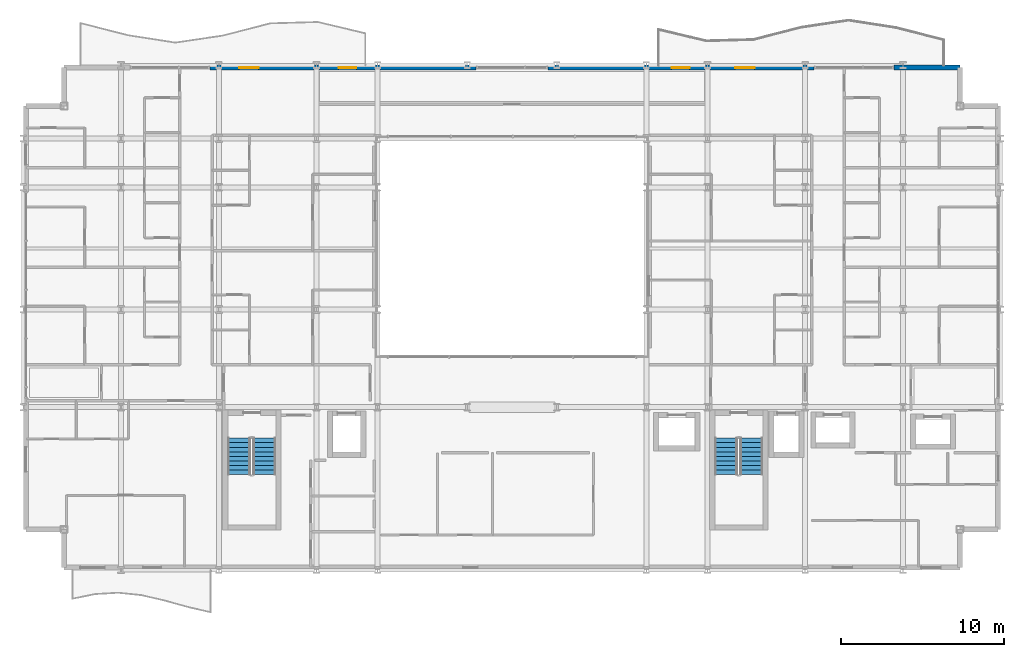
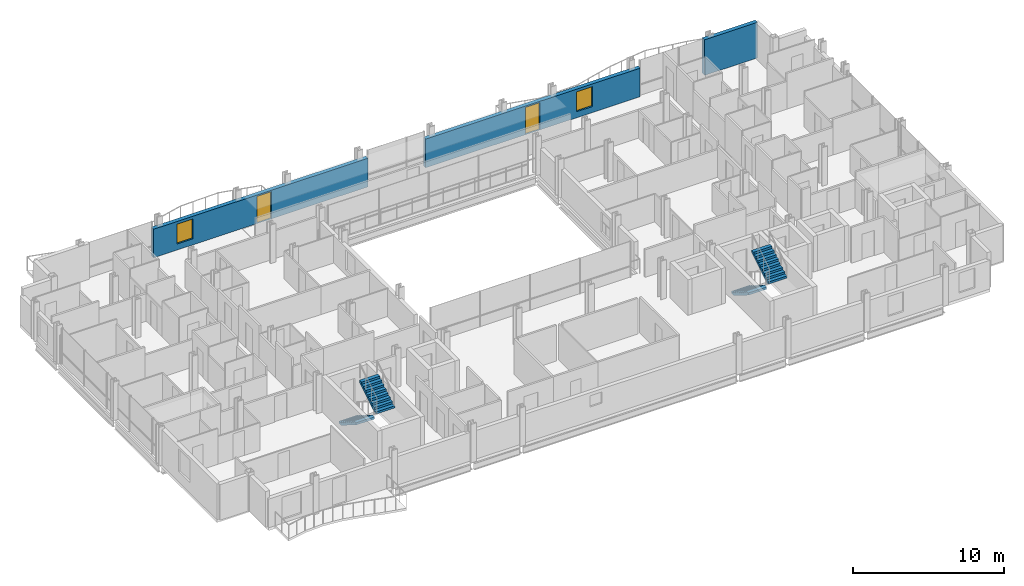
# One storey, part 37 of 40: 4 stair flights, 3 walls, 2 doors, 2 windows, 4 openings, 2 elements without a shape of their own.
"""IFC4 building model written with IfcOpenShell, lengths in metres."""

import ifcopenshell
import ifcopenshell.guid

model = None  # the IFC model being written
_history = None  # IfcOwnerHistory: only IFC2X3 demands one
_inside = {}  # id of a spatial element -> (the spatial element, [elements in it])
_under = {}  # id of a project, library or spatial element -> (it, [spatial elements below it])
_declared = {}  # id of a project -> (the project, [libraries it declares])
_typed = {}  # id of a type object -> (the type object, [elements of that type])
_made_of = {}  # id of a material, layer set ... -> (it, [elements and type objects made of it])


def new_model(schema):
    """Start an empty IFC model of exactly this schema.

    Asked for "IFC4X3", IfcOpenShell would pick the latest addendum, in which some entities
    have other attributes; the version numbers below select the first issue.
    IFC2X3 requires an IfcOwnerHistory on every rooted entity: one is made here for all.
    """
    global model, _history
    if schema == "IFC4X3":
        model = ifcopenshell.file(schema_version=(4, 3, 0, 0))
    else:
        model = ifcopenshell.file(schema=schema)
    _inside.clear()
    _under.clear()
    _declared.clear()
    _typed.clear()
    _made_of.clear()
    _history = None
    if model.schema == "IFC2X3":
        org = make("IfcOrganization", Name="unknown")
        user = make(
            "IfcPersonAndOrganization",
            ThePerson=make("IfcPerson", FamilyName="unknown"),
            TheOrganization=org,
        )
        app = make(
            "IfcApplication",
            ApplicationDeveloper=org,
            Version="unknown",
            ApplicationFullName="unknown",
            ApplicationIdentifier="unknown",
        )
        _history = make(
            "IfcOwnerHistory",
            OwningUser=user,
            OwningApplication=app,
            ChangeAction="ADDED",
            CreationDate=0,
        )
    return model


def make(cls, **values):
    """One entity of the class cls with the attributes given. An attribute that is None is left unset."""
    return model.create_entity(
        cls, **{name: value for name, value in values.items() if value is not None}
    )


def rooted(cls, **values):
    """An entity with a GlobalId (a new one), such as an element, a storey or a relation."""
    return make(cls, GlobalId=ifcopenshell.guid.new(), OwnerHistory=_history, **values)


def si_unit(unit_type, name, prefix=None):
    """IfcSIUnit, for example si_unit("LENGTHUNIT", "METRE", prefix="MILLI")."""
    return make("IfcSIUnit", UnitType=unit_type, Prefix=prefix, Name=name)


def assignment(units):
    """IfcUnitAssignment: the units of a project."""
    return None if units is None else make("IfcUnitAssignment", Units=units)


def point(xyz):
    """IfcCartesianPoint."""
    return None if xyz is None else make("IfcCartesianPoint", Coordinates=xyz)


def direction(xyz):
    """IfcDirection."""
    return None if xyz is None else make("IfcDirection", DirectionRatios=xyz)


def frame(location, z_axis=None, x_axis=None):
    """IfcAxis2Placement3D, a coordinate frame: its origin and axes. An axis left out is left unset."""
    return make(
        "IfcAxis2Placement3D",
        Location=point(location),
        Axis=direction(z_axis),
        RefDirection=direction(x_axis),
    )


def frame_2d(location, x_axis=None):
    """IfcAxis2Placement2D, a coordinate frame in the plane: its origin and x axis."""
    return make(
        "IfcAxis2Placement2D", Location=point(location), RefDirection=direction(x_axis)
    )


def origin():
    """The frame at (0, 0, 0) with its axes left unset."""
    return frame((0.0, 0.0, 0.0))


def place(relative_to, where):
    """IfcLocalPlacement: puts the frame where relative to a parent placement (None: the world)."""
    return make(
        "IfcLocalPlacement", PlacementRelTo=relative_to, RelativePlacement=where
    )


def context(
    kind, dimensions, precision=None, world=None, true_north=None, identifier=None
):
    """IfcGeometricRepresentationContext, for example the 3D "Model" context."""
    return make(
        "IfcGeometricRepresentationContext",
        ContextIdentifier=identifier,
        ContextType=kind,
        CoordinateSpaceDimension=dimensions,
        Precision=precision,
        WorldCoordinateSystem=world,
        TrueNorth=true_north,
    )


def subcontext(parent, identifier, kind, view, scale=None):
    """IfcGeometricRepresentationSubContext, for example "Body" below "Model"."""
    return make(
        "IfcGeometricRepresentationSubContext",
        ContextIdentifier=identifier,
        ContextType=kind,
        ParentContext=parent,
        TargetScale=scale,
        TargetView=view,
    )


def project(units=None, contexts=None):
    """IfcProject with its units and contexts."""
    return rooted(
        "IfcProject",
        Name="project",
        RepresentationContexts=contexts,
        UnitsInContext=assignment(units),
    )


def spatial(cls, under=None, at=None, **own):
    """A site, building, storey or space (cls), placed at a placement, below another one or the project."""
    s = rooted(cls, ObjectPlacement=at, **own)
    if under is not None:
        _under.setdefault(under.id(), (under, []))[1].append(s)
    return s


def polyline(points):
    """IfcPolyline through the points."""
    return make("IfcPolyline", Points=[point(p) for p in points])


def profile(cls, at=None, kind="AREA", **sizes):
    """A parametric profile (cls). Its sizes go by their IFC names, for example OverallWidth=200.0."""
    return make(cls, ProfileType=kind, Position=at, **sizes)


def rectangle(**sizes):
    """IfcRectangleProfileDef."""
    return profile("IfcRectangleProfileDef", **sizes)


def outline(outer, holes=None, kind="AREA"):
    """IfcArbitraryClosedProfileDef: a profile drawn as a closed curve; with holes, ...WithVoids."""
    if holes is None:
        return make("IfcArbitraryClosedProfileDef", ProfileType=kind, OuterCurve=outer)
    return make(
        "IfcArbitraryProfileDefWithVoids",
        ProfileType=kind,
        OuterCurve=outer,
        InnerCurves=holes,
    )


def extrude(swept, where, along, depth):
    """IfcExtrudedAreaSolid: the profile swept, set in the frame where, extruded along a direction by depth."""
    return make(
        "IfcExtrudedAreaSolid",
        SweptArea=swept,
        Position=where,
        ExtrudedDirection=direction(along),
        Depth=depth,
    )


def shape(context_of_items, identifier, shape_type, items):
    """IfcShapeRepresentation: the items that make up one representation, for example the "Body"."""
    return make(
        "IfcShapeRepresentation",
        ContextOfItems=context_of_items,
        RepresentationIdentifier=identifier,
        RepresentationType=shape_type,
        Items=items,
    )


def material(Name=None, Category=None):
    """IfcMaterial."""
    return make("IfcMaterial", Name=Name, Category=Category)


def layer(
    of_material, thickness, ventilated=None, Name=None, Category=None, Priority=None
):
    """IfcMaterialLayer: one layer of a wall or slab, of a material (None: an air gap)."""
    return make(
        "IfcMaterialLayer",
        Material=of_material,
        LayerThickness=thickness,
        IsVentilated=ventilated,
        Name=Name,
        Category=Category,
        Priority=Priority,
    )


def layer_set(layers, Name=None):
    """IfcMaterialLayerSet."""
    return make("IfcMaterialLayerSet", MaterialLayers=layers, LayerSetName=Name)


def made_of(thing, what):
    """Note that an element or type object is made of a material, layer set ...; save() writes the relation."""
    if what is not None:
        _made_of.setdefault(what.id(), (what, []))[1].append(thing)
    return thing


def type_object(cls, material=None, **own):
    """A type object (cls), such as IfcWallType, which elements share."""
    return made_of(rooted(cls, **own), material)


def element(
    cls,
    number,
    at=None,
    inside=None,
    cuts=None,
    type_object=None,
    material=None,
    context=None,
    identifier="Body",
    shape_type=None,
    held_by="IfcProductDefinitionShape",
    body=None,
    shapes=None,
    **own,
):
    """One element of the class cls, such as IfcWall. Its Tag is "e" and its number.

    at: its placement. inside: the storey or other place that contains it. cuts: it is an
    opening in that element (IfcRelVoidsElement). A single representation is given by context,
    identifier, shape_type and body (its items); several are given by shapes. held_by: the class
    of the entity that holds the representations. save() writes the other relations.
    """
    e = rooted(cls, Tag="e%d" % number, ObjectPlacement=at, **own)
    if body is not None:
        shapes = [shape(context, identifier, shape_type, body)]
    if shapes is not None:
        e.Representation = make(held_by, Representations=shapes)
    if inside is not None:
        _inside.setdefault(inside.id(), (inside, []))[1].append(e)
    if cuts is not None:
        rooted(
            "IfcRelVoidsElement", RelatingBuildingElement=cuts, RelatedOpeningElement=e
        )
    if type_object is not None:
        _typed.setdefault(type_object.id(), (type_object, []))[1].append(e)
    return made_of(e, material)


def fill(opening, filler):
    """IfcRelFillsElement: the door or window that sits in an opening."""
    return rooted(
        "IfcRelFillsElement",
        RelatingOpeningElement=opening,
        RelatedBuildingElement=filler,
    )


def aggregate(whole, parts):
    """IfcRelAggregates: a whole, such as a stair, and the parts it consists of."""
    return rooted("IfcRelAggregates", RelatingObject=whole, RelatedObjects=parts)


def save(model, path):
    """Write the relations noted so far, then the file.

    IfcRelAggregates (storeys below a building ...), IfcRelContainedInSpatialStructure (elements
    in a storey), IfcRelDefinesByType, IfcRelAssociatesMaterial and IfcRelDeclares: one each for
    every whole, place, type object, material and project.
    """
    for whole, parts in _under.values():
        aggregate(whole, parts)
    for where, things in _inside.values():
        rooted(
            "IfcRelContainedInSpatialStructure",
            RelatedElements=things,
            RelatingStructure=where,
        )
    for kind, things in _typed.values():
        rooted("IfcRelDefinesByType", RelatedObjects=things, RelatingType=kind)
    for what, things in _made_of.values():
        rooted("IfcRelAssociatesMaterial", RelatedObjects=things, RelatingMaterial=what)
    for by, libraries in _declared.values():
        rooted("IfcRelDeclares", RelatingContext=by, RelatedDefinitions=libraries)
    model.write(path)


model = new_model("IFC4")

# Units and contexts
model_context = context("Model", 3, precision=1e-05, world=origin(), true_north=direction((0.0, 1.0)))
body_context = subcontext(model_context, "Body", "Model", "MODEL_VIEW")
ifc_project = project(units=[si_unit("LENGTHUNIT", "METRE"), si_unit("AREAUNIT", "SQUARE_METRE"), si_unit("VOLUMEUNIT", "CUBIC_METRE"), si_unit("PLANEANGLEUNIT", "RADIAN"), si_unit("MASSUNIT", "GRAM", prefix="KILO")], contexts=[model_context])

# Site, building, storey
site_placement = place(None, origin())
site = spatial("IfcSite", under=ifc_project, at=site_placement, CompositionType="ELEMENT")
building_placement = place(site_placement, origin())
building = spatial("IfcBuilding", under=site, at=building_placement, Name="Brevholm Reach", CompositionType="ELEMENT")
storey_placement = place(building_placement, frame((0.0, 0.0, 31.10009765625)))
storey = spatial("IfcBuildingStorey", under=building, at=storey_placement, Name="L07", CompositionType="ELEMENT", Elevation=31.10009765625)

# Wall
ifc_material_1 = material(Name="Concrete C40/50", Category="concrete")
ifc_layer_1 = layer(ifc_material_1, 0.300048828125)
ifc_layer_set_1 = layer_set([ifc_layer_1], Name="Concrete C40/50")
wall_type = type_object("IfcWallType", Name="WAL-EXT-300", PredefinedType="STANDARD", material=ifc_layer_set_1)
wall_1_placement = place(storey_placement, frame((53.449951171875, 30.85009765625, 0.0), z_axis=(0.0, 0.0, 1.0), x_axis=(1.0, 0.0, 0.0)))
element("IfcWall", 1, at=wall_1_placement, inside=storey, type_object=wall_type, Name="L07 Facade Wall WAL-L07-NP-E0", PredefinedType="STANDARD", context=body_context, shape_type="SweptSolid", body=[
    extrude(rectangle(XDim=4.050048828125, YDim=0.300048828125, at=frame_2d((2.02490234375, 0.0))), origin(), (0.0, 0.0, 1.0), 2.869873046875),
])

# Wall, openings, door, window
wall_2_placement = place(storey_placement, frame((11.449951171875, 30.85009765625, 0.0), z_axis=(0.0, 0.0, 1.0), x_axis=(1.0, 0.0, 0.0)))
wall_2 = element("IfcWall", 2, at=wall_2_placement, inside=storey, type_object=wall_type, Name="L07 Facade Wall WAL-L07-NP-WL", PredefinedType="STANDARD", context=body_context, shape_type="SweptSolid", body=[
    extrude(rectangle(XDim=16.35009765625, YDim=0.300048828125, at=frame_2d((8.175048828125, 0.0))), origin(), (0.0, 0.0, 1.0), 2.305419921875),
])
opening_1_placement = place(wall_2_placement, frame((7.89794921875, 0.0, 0.0)))
opening_1 = element("IfcOpeningElement", 3, at=opening_1_placement, cuts=wall_2, Name="Opening BD-01", PredefinedType="OPENING", context=body_context, shape_type="SweptSolid", body=[
    extrude(rectangle(XDim=1.10009765625, YDim=2.199951171875, at=frame_2d((0.550048828125, 1.10009765625))), frame((0.0, 0.159912109375, 0.0), z_axis=(0.0, -1.0, 0.0), x_axis=(1.0, 0.0, 0.0)), (0.0, 0.0, 1.0), 0.320068359375),
])
opening_2_placement = place(wall_2_placement, frame((1.800048828125, 0.0, 0.486083984375)))
opening_2 = element("IfcOpeningElement", 4, at=opening_2_placement, cuts=wall_2, Name="Opening WN-08", PredefinedType="OPENING", context=body_context, shape_type="SweptSolid", body=[
    extrude(rectangle(XDim=1.199951171875, YDim=1.60009765625, at=frame_2d((0.60009765625, 0.800048828125))), frame((0.0, 0.159912109375, 0.0), z_axis=(0.0, -1.0, 0.0), x_axis=(1.0, 0.0, 0.0)), (0.0, 0.0, 1.0), 0.320068359375),
])
ifc_material_2 = material(Name="Dark Anodised Aluminium and Triple-Glazed Glass", Category="aluminium")
door_type = type_object("IfcDoorType", Name="DOR-BALC-1100", OperationType="NOTDEFINED", PredefinedType="DOOR", material=ifc_material_2)
door_1_placement = place(opening_1_placement, origin())
door_1 = element("IfcDoor", 5, at=door_1_placement, inside=storey, type_object=door_type, Name="L07 Exterior Door DOR-L07-BL-NW", OperationType="SINGLE_SWING_LEFT", OverallHeight=2.199951171875, OverallWidth=1.10009765625, PredefinedType="DOOR", context=body_context, shape_type="SweptSolid", body=[
    extrude(rectangle(XDim=1.10009765625, YDim=2.199951171875, at=frame_2d((0.550048828125, 1.10009765625))), frame((0.0, 0.02490234375, 0.0), z_axis=(0.0, -1.0, 0.0), x_axis=(1.0, 0.0, 0.0)), (0.0, 0.0, 1.0), 0.050048828125),
])
fill(opening_1, door_1)
ifc_material_3 = material(Name="Dark Anodised Aluminium and Solar-Control IGU Glass", Category="aluminium")
window_type = type_object("IfcWindowType", Name="WIN-RES-1200", PartitioningType="SINGLE_PANEL", PredefinedType="WINDOW", material=ifc_material_3)
window_1_placement = place(opening_2_placement, origin())
window_1 = element("IfcWindow", 6, at=window_1_placement, inside=storey, type_object=window_type, Name="L07 Window WIN-L07-NP-WL1", OverallHeight=1.60009765625, OverallWidth=1.199951171875, PartitioningType="SINGLE_PANEL", PredefinedType="WINDOW", context=body_context, shape_type="SweptSolid", body=[
    extrude(rectangle(XDim=1.199951171875, YDim=1.60009765625, at=frame_2d((0.60009765625, 0.800048828125))), frame((0.0, 0.030029296875, 0.0), z_axis=(0.0, -1.0, 0.0), x_axis=(1.0, 0.0, 0.0)), (0.0, 0.0, 1.0), 0.06005859375),
])
fill(opening_2, window_1)

wall_3_placement = place(storey_placement, frame((32.199951171875, 30.85009765625, 0.0), z_axis=(0.0, 0.0, 1.0), x_axis=(1.0, 0.0, 0.0)))
wall_3 = element("IfcWall", 7, at=wall_3_placement, inside=storey, type_object=wall_type, Name="L07 Facade Wall WAL-L07-NP-ER", PredefinedType="STANDARD", context=body_context, shape_type="SweptSolid", body=[
    extrude(rectangle(XDim=16.35009765625, YDim=0.300048828125, at=frame_2d((8.175048828125, 0.0))), origin(), (0.0, 0.0, 1.0), 2.305419921875),
])
opening_3_placement = place(wall_3_placement, frame((7.60009765625, 0.0, 0.0)))
opening_3 = element("IfcOpeningElement", 8, at=opening_3_placement, cuts=wall_3, Name="Opening BD-01", PredefinedType="OPENING", context=body_context, shape_type="SweptSolid", body=[
    extrude(rectangle(XDim=1.10009765625, YDim=2.199951171875, at=frame_2d((0.550048828125, 1.10009765625))), frame((0.0, 0.159912109375, 0.0), z_axis=(0.0, -1.0, 0.0), x_axis=(1.0, 0.0, 0.0)), (0.0, 0.0, 1.0), 0.320068359375),
])
opening_4_placement = place(wall_3_placement, frame((11.5, 0.0, 0.486083984375)))
opening_4 = element("IfcOpeningElement", 9, at=opening_4_placement, cuts=wall_3, Name="Opening WN-08", PredefinedType="OPENING", context=body_context, shape_type="SweptSolid", body=[
    extrude(rectangle(XDim=1.199951171875, YDim=1.60009765625, at=frame_2d((0.60009765625, 0.800048828125))), frame((0.0, 0.159912109375, 0.0), z_axis=(0.0, -1.0, 0.0), x_axis=(1.0, 0.0, 0.0)), (0.0, 0.0, 1.0), 0.320068359375),
])
door_2_placement = place(opening_3_placement, origin())
door_2 = element("IfcDoor", 10, at=door_2_placement, inside=storey, type_object=door_type, Name="L07 Exterior Door DOR-L07-BL-NE", OperationType="SINGLE_SWING_RIGHT", OverallHeight=2.199951171875, OverallWidth=1.10009765625, PredefinedType="DOOR", context=body_context, shape_type="SweptSolid", body=[
    extrude(rectangle(XDim=1.10009765625, YDim=2.199951171875, at=frame_2d((0.550048828125, 1.10009765625))), frame((0.0, 0.02490234375, 0.0), z_axis=(0.0, -1.0, 0.0), x_axis=(1.0, 0.0, 0.0)), (0.0, 0.0, 1.0), 0.050048828125),
])
fill(opening_3, door_2)
window_2_placement = place(opening_4_placement, origin())
window_2 = element("IfcWindow", 11, at=window_2_placement, inside=storey, type_object=window_type, Name="L07 Window WIN-L07-NP-ER1", OverallHeight=1.60009765625, OverallWidth=1.199951171875, PartitioningType="SINGLE_PANEL", PredefinedType="WINDOW", context=body_context, shape_type="SweptSolid", body=[
    extrude(rectangle(XDim=1.199951171875, YDim=1.60009765625, at=frame_2d((0.60009765625, 0.800048828125))), frame((0.0, 0.030029296875, 0.0), z_axis=(0.0, -1.0, 0.0), x_axis=(1.0, 0.0, 0.0)), (0.0, 0.0, 1.0), 0.06005859375),
])
fill(opening_4, window_2)

# Stair, stair flights
ifc_material_4 = material(Name="Precast Concrete C40/50", Category="concrete")
stair_type = type_object("IfcStairType", Name="STR-ESC-1400", PredefinedType="DOUBLE_RETURN_STAIR", material=ifc_material_4)
stair_1_placement = place(storey_placement, origin())
stair_1 = element("IfcStair", 12, at=stair_1_placement, inside=storey, type_object=stair_type, Name="L07 ST-1", PredefinedType="DOUBLE_RETURN_STAIR")
ifc_material_5 = material(Name="Precast Concrete C40/50", Category="concrete")
ifc_layer_2 = layer(ifc_material_5, 0.18505859375)
ifc_layer_set_2 = layer_set([ifc_layer_2], Name="Precast Concrete C40/50")
stair_flight_type = type_object("IfcStairFlightType", Name="STF-PRC-185", PredefinedType="STRAIGHT", material=ifc_layer_set_2)
stair_flight_1_placement = place(storey_placement, frame((13.25, 8.10009765625, 0.0), z_axis=(0.0, 0.0, 1.0), x_axis=(0.0, -1.0, 0.0)))
stair_flight_1 = element("IfcStairFlight", 13, at=stair_flight_1_placement, type_object=stair_flight_type, Name="ST-1 flight 1", NumberOfRisers=9, NumberOfTreads=8, PredefinedType="STRAIGHT", RiserHeight=0.172222222, TreadLength=0.28, context=body_context, shape_type="SweptSolid", body=[
    extrude(outline(polyline([(0.0, 0.0), (0.0, 0.172119140625), (0.280029296875, 0.172119140625), (0.280029296875, 0.344482421875), (0.56005859375, 0.344482421875), (0.56005859375, 0.5166015625), (0.840087890625, 0.5166015625), (0.840087890625, 0.68896484375), (1.1201171875, 0.68896484375), (1.1201171875, 0.861083984375), (1.39990234375, 0.861083984375), (1.39990234375, 1.033447265625), (1.679931640625, 1.033447265625), (1.679931640625, 1.20556640625), (1.9599609375, 1.20556640625), (1.9599609375, 1.377685546875), (2.239990234375, 1.377685546875), (2.239990234375, 1.550048828125), (2.239990234375, 1.201904296875), (0.2861328125, 0.0), (0.0, 0.0)])), frame((0.0, 0.699951171875, 0.0), z_axis=(0.0, -1.0, 0.0), x_axis=(1.0, 0.0, 0.0)), (0.0, 0.0, 1.0), 1.39990234375),
])
stair_flight_2_placement = place(storey_placement, frame((14.800048828125, 5.860107421875, 1.5498046875), z_axis=(0.0, 0.0, 1.0), x_axis=(0.0, 1.0, 0.0)))
stair_flight_2 = element("IfcStairFlight", 14, at=stair_flight_2_placement, type_object=stair_flight_type, Name="ST-1 flight 2", NumberOfRisers=9, NumberOfTreads=8, PredefinedType="STRAIGHT", RiserHeight=0.172222222, TreadLength=0.28, context=body_context, shape_type="SweptSolid", body=[
    extrude(outline(polyline([(0.0, 0.0), (0.0, 0.172119140625), (0.280029296875, 0.172119140625), (0.280029296875, 0.344482421875), (0.56005859375, 0.344482421875), (0.56005859375, 0.5166015625), (0.840087890625, 0.5166015625), (0.840087890625, 0.68896484375), (1.1201171875, 0.68896484375), (1.1201171875, 0.861083984375), (1.39990234375, 0.861083984375), (1.39990234375, 1.033447265625), (1.679931640625, 1.033447265625), (1.679931640625, 1.20556640625), (1.9599609375, 1.20556640625), (1.9599609375, 1.377685546875), (2.239990234375, 1.377685546875), (2.239990234375, 1.550048828125), (2.239990234375, 1.201904296875), (0.2861328125, 0.0), (0.0, 0.0)])), frame((0.0, 0.699951171875, 0.0), z_axis=(0.0, -1.0, 0.0), x_axis=(1.0, 0.0, 0.0)), (0.0, 0.0, 1.0), 1.39990234375),
])
aggregate(stair_1, [stair_flight_1, stair_flight_2])

stair_2_placement = place(storey_placement, origin())
stair_2 = element("IfcStair", 15, at=stair_2_placement, inside=storey, type_object=stair_type, Name="L07 ST-2", PredefinedType="DOUBLE_RETURN_STAIR")
stair_flight_3_placement = place(storey_placement, frame((43.14990234375, 8.10009765625, 0.0), z_axis=(0.0, 0.0, 1.0), x_axis=(0.0, -1.0, 0.0)))
stair_flight_3 = element("IfcStairFlight", 16, at=stair_flight_3_placement, type_object=stair_flight_type, Name="ST-2 flight 1", NumberOfRisers=9, NumberOfTreads=8, PredefinedType="STRAIGHT", RiserHeight=0.172222222, TreadLength=0.28, context=body_context, shape_type="SweptSolid", body=[
    extrude(outline(polyline([(0.0, 0.0), (0.0, 0.172119140625), (0.280029296875, 0.172119140625), (0.280029296875, 0.344482421875), (0.56005859375, 0.344482421875), (0.56005859375, 0.5166015625), (0.840087890625, 0.5166015625), (0.840087890625, 0.68896484375), (1.1201171875, 0.68896484375), (1.1201171875, 0.861083984375), (1.39990234375, 0.861083984375), (1.39990234375, 1.033447265625), (1.679931640625, 1.033447265625), (1.679931640625, 1.20556640625), (1.9599609375, 1.20556640625), (1.9599609375, 1.377685546875), (2.239990234375, 1.377685546875), (2.239990234375, 1.550048828125), (2.239990234375, 1.201904296875), (0.2861328125, 0.0), (0.0, 0.0)])), frame((0.0, 0.699951171875, 0.0), z_axis=(0.0, -1.0, 0.0), x_axis=(1.0, 0.0, 0.0)), (0.0, 0.0, 1.0), 1.39990234375),
])
stair_flight_4_placement = place(storey_placement, frame((44.699951171875, 5.860107421875, 1.5498046875), z_axis=(0.0, 0.0, 1.0), x_axis=(0.0, 1.0, 0.0)))
stair_flight_4 = element("IfcStairFlight", 17, at=stair_flight_4_placement, type_object=stair_flight_type, Name="ST-2 flight 2", NumberOfRisers=9, NumberOfTreads=8, PredefinedType="STRAIGHT", RiserHeight=0.172222222, TreadLength=0.28, context=body_context, shape_type="SweptSolid", body=[
    extrude(outline(polyline([(0.0, 0.0), (0.0, 0.172119140625), (0.280029296875, 0.172119140625), (0.280029296875, 0.344482421875), (0.56005859375, 0.344482421875), (0.56005859375, 0.5166015625), (0.840087890625, 0.5166015625), (0.840087890625, 0.68896484375), (1.1201171875, 0.68896484375), (1.1201171875, 0.861083984375), (1.39990234375, 0.861083984375), (1.39990234375, 1.033447265625), (1.679931640625, 1.033447265625), (1.679931640625, 1.20556640625), (1.9599609375, 1.20556640625), (1.9599609375, 1.377685546875), (2.239990234375, 1.377685546875), (2.239990234375, 1.550048828125), (2.239990234375, 1.201904296875), (0.2861328125, 0.0), (0.0, 0.0)])), frame((0.0, 0.699951171875, 0.0), z_axis=(0.0, -1.0, 0.0), x_axis=(1.0, 0.0, 0.0)), (0.0, 0.0, 1.0), 1.39990234375),
])
aggregate(stair_2, [stair_flight_3, stair_flight_4])

save(model, "model.ifc")
